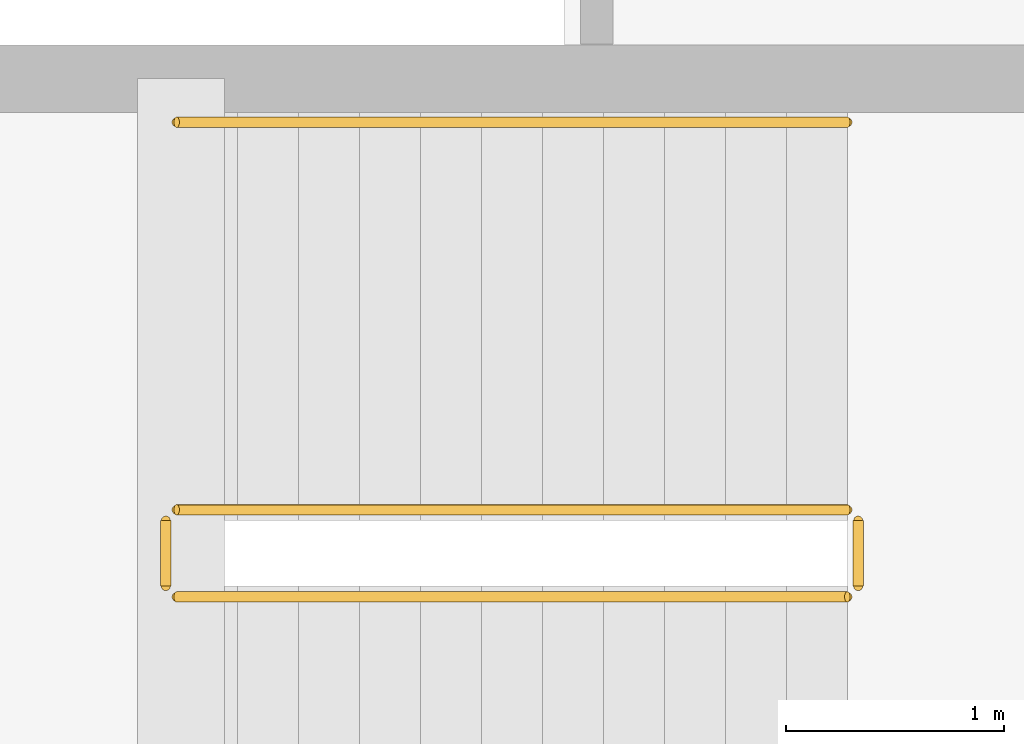
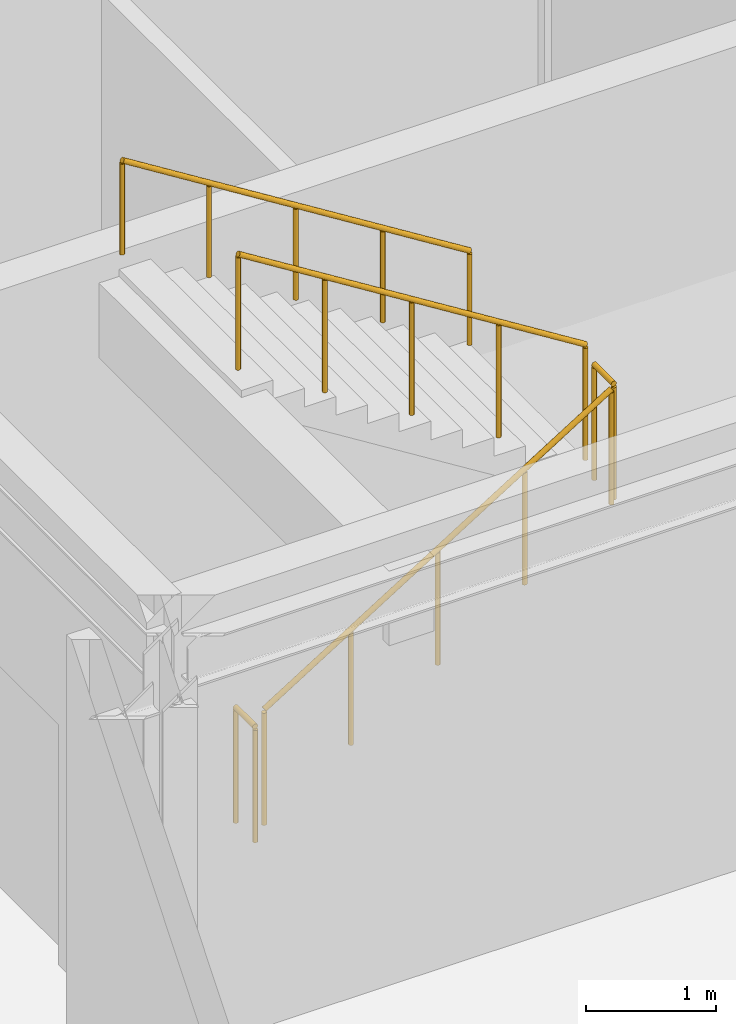
# One storey, part 26 of 26: 5 railings.
"""IFC4 building model written with IfcOpenShell, lengths in metres."""

from ifc_helpers import new_model, si_unit, direction, frame, origin, origin_2d, place, context, subcontext, project, spatial, circle, extrude, material, type_object, element, save


model = new_model("IFC4")

# Units and contexts
model_context = context("Model", 3, precision=1e-05, world=origin(), true_north=direction((0.0, 1.0)))
body_context = subcontext(model_context, "Body", "Model", "MODEL_VIEW")
ifc_project = project(units=[si_unit("LENGTHUNIT", "METRE"), si_unit("AREAUNIT", "SQUARE_METRE"), si_unit("VOLUMEUNIT", "CUBIC_METRE"), si_unit("PLANEANGLEUNIT", "RADIAN"), si_unit("MASSUNIT", "GRAM", prefix="KILO")], contexts=[model_context])

# Site, building, storey
site_placement = place(None, origin())
site = spatial("IfcSite", under=ifc_project, at=site_placement, CompositionType="ELEMENT")
building_placement = place(site_placement, origin())
building = spatial("IfcBuilding", under=site, at=building_placement, Name="Parian Resonance Hall", CompositionType="ELEMENT")
storey_placement = place(building_placement, frame((0.0, 0.0, 19.199951171875)))
storey = spatial("IfcBuildingStorey", under=building, at=storey_placement, Name="L04", CompositionType="ELEMENT", Elevation=19.199951171875)

# Railings
ifc_material_1 = material(Name="Patinated bronze whiplash metalwork")
railing_type_1 = type_object("IfcRailingType", Name="RAIL-STAIR-GRD-1100", PredefinedType="GUARDRAIL", material=ifc_material_1)
railing_1_placement = place(storey_placement, frame((139.820068359375, 83.22998046875, 0.175048828125)))
element("IfcRailing", 1, at=railing_1_placement, inside=storey, type_object=railing_type_1, Name="L04 ST-06 stair guard 1", PredefinedType="GUARDRAIL", context=body_context, shape_type="SweptSolid", body=[
    extrude(circle(Radius=0.02392578125, at=origin_2d()), frame((0.0, 0.0, 1.076171875), z_axis=(0.847979421464, 0.0, 0.530029150871), x_axis=(0.0, 1.0, 0.0)), (0.0, 0.0, 1.0), 3.632080078125),
    extrude(circle(Radius=0.02099609375, at=origin_2d()), origin(), (0.0, 0.0, 1.0), 1.052001953125),
    extrude(circle(Radius=0.02099609375, at=origin_2d()), frame((0.77001953125, 0.0, 0.481201171875)), (0.0, 0.0, 1.0), 1.052001953125),
    extrude(circle(Radius=0.02099609375, at=origin_2d()), frame((1.5400390625, 0.0, 0.96240234375)), (0.0, 0.0, 1.0), 1.052001953125),
    extrude(circle(Radius=0.02099609375, at=origin_2d()), frame((2.309814453125, 0.0, 1.44384765625)), (0.0, 0.0, 1.0), 1.052001953125),
    extrude(circle(Radius=0.02099609375, at=origin_2d()), frame((3.079833984375, 0.0, 1.925048828125)), (0.0, 0.0, 1.0), 1.052001953125),
])
railing_2_placement = place(storey_placement, frame((142.949951171875, 83.280029296875, 2.10009765625)))
element("IfcRailing", 2, at=railing_2_placement, inside=storey, type_object=railing_type_1, Name="L04 ST-06 stair guard 2", PredefinedType="GUARDRAIL", context=body_context, shape_type="SweptSolid", body=[
    extrude(circle(Radius=0.02392578125, at=origin_2d()), frame((0.0, 0.0, 1.076171875), z_axis=(0.0, 1.0, 0.0), x_axis=(-1.0, 0.0, 0.0)), (0.0, 0.0, 1.0), 0.300048828125),
    extrude(circle(Radius=0.02099609375, at=origin_2d()), origin(), (0.0, 0.0, 1.0), 1.052001953125),
    extrude(circle(Radius=0.02099609375, at=origin_2d()), frame((0.0, 0.300048828125, 0.0)), (0.0, 0.0, 1.0), 1.052001953125),
])
railing_3_placement = place(storey_placement, frame((142.89990234375, 83.6298828125, 2.275146484375)))
element("IfcRailing", 3, at=railing_3_placement, inside=storey, type_object=railing_type_1, Name="L04 ST-06 stair guard 3", PredefinedType="GUARDRAIL", context=body_context, shape_type="SweptSolid", body=[
    extrude(circle(Radius=0.02392578125, at=origin_2d()), frame((0.0, 0.0, 1.076171875), z_axis=(-0.848009633417, 0.0, 0.529980812513), x_axis=(0.0, -1.0, 0.0)), (0.0, 0.0, 1.0), 3.6318359375),
    extrude(circle(Radius=0.02099609375, at=origin_2d()), origin(), (0.0, 0.0, 1.0), 1.052001953125),
    extrude(circle(Radius=0.02099609375, at=origin_2d()), frame((-0.77001953125, 0.0, 0.481201171875)), (0.0, 0.0, 1.0), 1.052001953125),
    extrude(circle(Radius=0.02099609375, at=origin_2d()), frame((-1.5400390625, 0.0, 0.96240234375)), (0.0, 0.0, 1.0), 1.052001953125),
    extrude(circle(Radius=0.02099609375, at=origin_2d()), frame((-2.309814453125, 0.0, 1.443603515625)), (0.0, 0.0, 1.0), 1.052001953125),
    extrude(circle(Radius=0.02099609375, at=origin_2d()), frame((-3.079833984375, 0.0, 1.9248046875)), (0.0, 0.0, 1.0), 1.052001953125),
])
railing_4_placement = place(storey_placement, frame((139.77001953125, 83.280029296875, 0.0)))
element("IfcRailing", 4, at=railing_4_placement, inside=storey, type_object=railing_type_1, Name="L04 ST-06 stair guard 4", PredefinedType="GUARDRAIL", context=body_context, shape_type="SweptSolid", body=[
    extrude(circle(Radius=0.02392578125, at=origin_2d()), frame((0.0, 0.0, 1.076171875), z_axis=(0.0, 1.0, 0.0), x_axis=(-1.0, 0.0, 0.0)), (0.0, 0.0, 1.0), 0.300048828125),
    extrude(circle(Radius=0.02099609375, at=origin_2d()), origin(), (0.0, 0.0, 1.0), 1.052001953125),
    extrude(circle(Radius=0.02099609375, at=origin_2d()), frame((0.0, 0.300048828125, 0.0)), (0.0, 0.0, 1.0), 1.052001953125),
])
ifc_material_2 = material(Name="Patinated bronze whiplash metalwork")
railing_type_2 = type_object("IfcRailingType", Name="RAIL-STAIR-HR-900", PredefinedType="HANDRAIL", material=ifc_material_2)
railing_5_placement = place(storey_placement, frame((142.89990234375, 85.409912109375, 2.275146484375)))
element("IfcRailing", 5, at=railing_5_placement, inside=storey, type_object=railing_type_2, Name="L04 ST-06 stair handrail 2", PredefinedType="HANDRAIL", context=body_context, shape_type="SweptSolid", body=[
    extrude(circle(Radius=0.02392578125, at=origin_2d()), frame((0.0, 0.0, 0.8759765625), z_axis=(-0.848009633417, 0.0, 0.529980812513), x_axis=(0.0, -1.0, 0.0)), (0.0, 0.0, 1.0), 3.6318359375),
    extrude(circle(Radius=0.02099609375, at=origin_2d()), origin(), (0.0, 0.0, 1.0), 0.851806640625),
    extrude(circle(Radius=0.02099609375, at=origin_2d()), frame((-0.77001953125, 0.0, 0.481201171875)), (0.0, 0.0, 1.0), 0.851806640625),
    extrude(circle(Radius=0.02099609375, at=origin_2d()), frame((-1.5400390625, 0.0, 0.96240234375)), (0.0, 0.0, 1.0), 0.851806640625),
    extrude(circle(Radius=0.02099609375, at=origin_2d()), frame((-2.309814453125, 0.0, 1.443603515625)), (0.0, 0.0, 1.0), 0.851806640625),
    extrude(circle(Radius=0.02099609375, at=origin_2d()), frame((-3.079833984375, 0.0, 1.9248046875)), (0.0, 0.0, 1.0), 0.851806640625),
])

save(model, "model.ifc")
